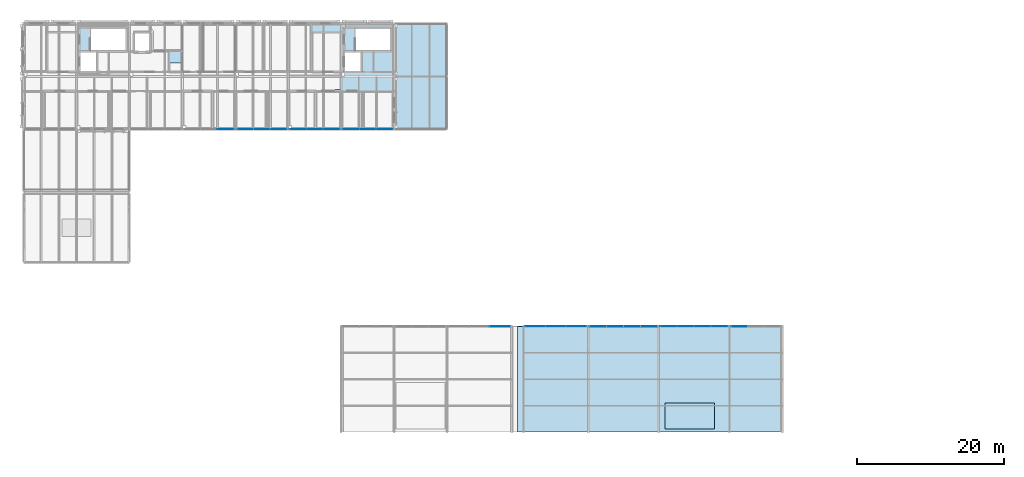
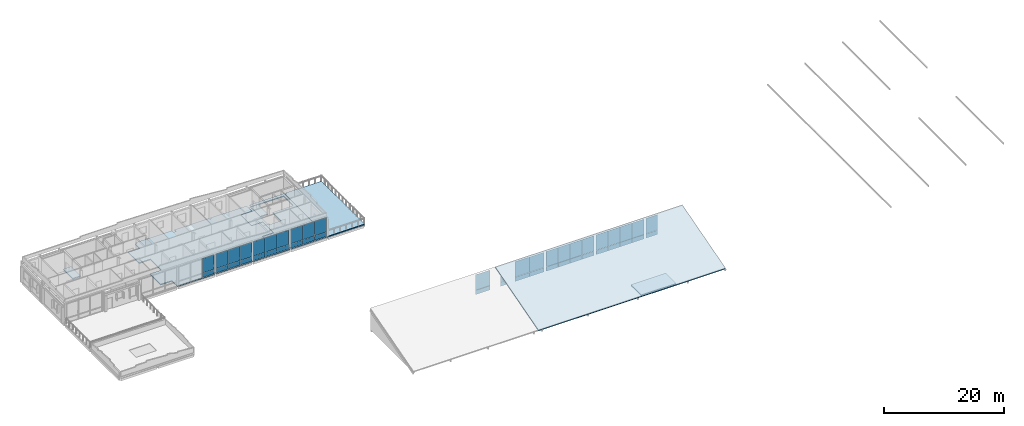
# One storey, part 22 of 32: 46 plates, 7 slabs, 9 elements without a shape of their own.
"""IFC4 building model written with IfcOpenShell, lengths in metres."""

import ifcopenshell
import ifcopenshell.guid

model = None  # the IFC model being written
_history = None  # IfcOwnerHistory: only IFC2X3 demands one
_inside = {}  # id of a spatial element -> (the spatial element, [elements in it])
_under = {}  # id of a project, library or spatial element -> (it, [spatial elements below it])
_declared = {}  # id of a project -> (the project, [libraries it declares])
_typed = {}  # id of a type object -> (the type object, [elements of that type])
_made_of = {}  # id of a material, layer set ... -> (it, [elements and type objects made of it])


def new_model(schema):
    """Start an empty IFC model of exactly this schema.

    Asked for "IFC4X3", IfcOpenShell would pick the latest addendum, in which some entities
    have other attributes; the version numbers below select the first issue.
    IFC2X3 requires an IfcOwnerHistory on every rooted entity: one is made here for all.
    """
    global model, _history
    if schema == "IFC4X3":
        model = ifcopenshell.file(schema_version=(4, 3, 0, 0))
    else:
        model = ifcopenshell.file(schema=schema)
    _inside.clear()
    _under.clear()
    _declared.clear()
    _typed.clear()
    _made_of.clear()
    _history = None
    if model.schema == "IFC2X3":
        org = make("IfcOrganization", Name="unknown")
        user = make(
            "IfcPersonAndOrganization",
            ThePerson=make("IfcPerson", FamilyName="unknown"),
            TheOrganization=org,
        )
        app = make(
            "IfcApplication",
            ApplicationDeveloper=org,
            Version="unknown",
            ApplicationFullName="unknown",
            ApplicationIdentifier="unknown",
        )
        _history = make(
            "IfcOwnerHistory",
            OwningUser=user,
            OwningApplication=app,
            ChangeAction="ADDED",
            CreationDate=0,
        )
    return model


def make(cls, **values):
    """One entity of the class cls with the attributes given. An attribute that is None is left unset."""
    return model.create_entity(
        cls, **{name: value for name, value in values.items() if value is not None}
    )


def rooted(cls, **values):
    """An entity with a GlobalId (a new one), such as an element, a storey or a relation."""
    return make(cls, GlobalId=ifcopenshell.guid.new(), OwnerHistory=_history, **values)


def si_unit(unit_type, name, prefix=None):
    """IfcSIUnit, for example si_unit("LENGTHUNIT", "METRE", prefix="MILLI")."""
    return make("IfcSIUnit", UnitType=unit_type, Prefix=prefix, Name=name)


def assignment(units):
    """IfcUnitAssignment: the units of a project."""
    return None if units is None else make("IfcUnitAssignment", Units=units)


def point(xyz):
    """IfcCartesianPoint."""
    return None if xyz is None else make("IfcCartesianPoint", Coordinates=xyz)


def direction(xyz):
    """IfcDirection."""
    return None if xyz is None else make("IfcDirection", DirectionRatios=xyz)


def frame(location, z_axis=None, x_axis=None):
    """IfcAxis2Placement3D, a coordinate frame: its origin and axes. An axis left out is left unset."""
    return make(
        "IfcAxis2Placement3D",
        Location=point(location),
        Axis=direction(z_axis),
        RefDirection=direction(x_axis),
    )


def frame_2d(location, x_axis=None):
    """IfcAxis2Placement2D, a coordinate frame in the plane: its origin and x axis."""
    return make(
        "IfcAxis2Placement2D", Location=point(location), RefDirection=direction(x_axis)
    )


def origin():
    """The frame at (0, 0, 0) with its axes left unset."""
    return frame((0.0, 0.0, 0.0))


def origin_2d():
    """The frame at (0, 0) in the plane with its x axis left unset."""
    return frame_2d((0.0, 0.0))


def place(relative_to, where):
    """IfcLocalPlacement: puts the frame where relative to a parent placement (None: the world)."""
    return make(
        "IfcLocalPlacement", PlacementRelTo=relative_to, RelativePlacement=where
    )


def context(
    kind, dimensions, precision=None, world=None, true_north=None, identifier=None
):
    """IfcGeometricRepresentationContext, for example the 3D "Model" context."""
    return make(
        "IfcGeometricRepresentationContext",
        ContextIdentifier=identifier,
        ContextType=kind,
        CoordinateSpaceDimension=dimensions,
        Precision=precision,
        WorldCoordinateSystem=world,
        TrueNorth=true_north,
    )


def subcontext(parent, identifier, kind, view, scale=None):
    """IfcGeometricRepresentationSubContext, for example "Body" below "Model"."""
    return make(
        "IfcGeometricRepresentationSubContext",
        ContextIdentifier=identifier,
        ContextType=kind,
        ParentContext=parent,
        TargetScale=scale,
        TargetView=view,
    )


def project(units=None, contexts=None):
    """IfcProject with its units and contexts."""
    return rooted(
        "IfcProject",
        Name="project",
        RepresentationContexts=contexts,
        UnitsInContext=assignment(units),
    )


def spatial(cls, under=None, at=None, **own):
    """A site, building, storey or space (cls), placed at a placement, below another one or the project."""
    s = rooted(cls, ObjectPlacement=at, **own)
    if under is not None:
        _under.setdefault(under.id(), (under, []))[1].append(s)
    return s


def polyline(points):
    """IfcPolyline through the points."""
    return make("IfcPolyline", Points=[point(p) for p in points])


def profile(cls, at=None, kind="AREA", **sizes):
    """A parametric profile (cls). Its sizes go by their IFC names, for example OverallWidth=200.0."""
    return make(cls, ProfileType=kind, Position=at, **sizes)


def rectangle(**sizes):
    """IfcRectangleProfileDef."""
    return profile("IfcRectangleProfileDef", **sizes)


def outline(outer, holes=None, kind="AREA"):
    """IfcArbitraryClosedProfileDef: a profile drawn as a closed curve; with holes, ...WithVoids."""
    if holes is None:
        return make("IfcArbitraryClosedProfileDef", ProfileType=kind, OuterCurve=outer)
    return make(
        "IfcArbitraryProfileDefWithVoids",
        ProfileType=kind,
        OuterCurve=outer,
        InnerCurves=holes,
    )


def extrude(swept, where, along, depth):
    """IfcExtrudedAreaSolid: the profile swept, set in the frame where, extruded along a direction by depth."""
    return make(
        "IfcExtrudedAreaSolid",
        SweptArea=swept,
        Position=where,
        ExtrudedDirection=direction(along),
        Depth=depth,
    )


def shape(context_of_items, identifier, shape_type, items):
    """IfcShapeRepresentation: the items that make up one representation, for example the "Body"."""
    return make(
        "IfcShapeRepresentation",
        ContextOfItems=context_of_items,
        RepresentationIdentifier=identifier,
        RepresentationType=shape_type,
        Items=items,
    )


def material(Name=None, Category=None):
    """IfcMaterial."""
    return make("IfcMaterial", Name=Name, Category=Category)


def layer(
    of_material, thickness, ventilated=None, Name=None, Category=None, Priority=None
):
    """IfcMaterialLayer: one layer of a wall or slab, of a material (None: an air gap)."""
    return make(
        "IfcMaterialLayer",
        Material=of_material,
        LayerThickness=thickness,
        IsVentilated=ventilated,
        Name=Name,
        Category=Category,
        Priority=Priority,
    )


def layer_set(layers, Name=None):
    """IfcMaterialLayerSet."""
    return make("IfcMaterialLayerSet", MaterialLayers=layers, LayerSetName=Name)


def made_of(thing, what):
    """Note that an element or type object is made of a material, layer set ...; save() writes the relation."""
    if what is not None:
        _made_of.setdefault(what.id(), (what, []))[1].append(thing)
    return thing


def type_object(cls, material=None, **own):
    """A type object (cls), such as IfcWallType, which elements share."""
    return made_of(rooted(cls, **own), material)


def element(
    cls,
    number,
    at=None,
    inside=None,
    cuts=None,
    type_object=None,
    material=None,
    context=None,
    identifier="Body",
    shape_type=None,
    held_by="IfcProductDefinitionShape",
    body=None,
    shapes=None,
    **own,
):
    """One element of the class cls, such as IfcWall. Its Tag is "e" and its number.

    at: its placement. inside: the storey or other place that contains it. cuts: it is an
    opening in that element (IfcRelVoidsElement). A single representation is given by context,
    identifier, shape_type and body (its items); several are given by shapes. held_by: the class
    of the entity that holds the representations. save() writes the other relations.
    """
    e = rooted(cls, Tag="e%d" % number, ObjectPlacement=at, **own)
    if body is not None:
        shapes = [shape(context, identifier, shape_type, body)]
    if shapes is not None:
        e.Representation = make(held_by, Representations=shapes)
    if inside is not None:
        _inside.setdefault(inside.id(), (inside, []))[1].append(e)
    if cuts is not None:
        rooted(
            "IfcRelVoidsElement", RelatingBuildingElement=cuts, RelatedOpeningElement=e
        )
    if type_object is not None:
        _typed.setdefault(type_object.id(), (type_object, []))[1].append(e)
    return made_of(e, material)


def aggregate(whole, parts):
    """IfcRelAggregates: a whole, such as a stair, and the parts it consists of."""
    return rooted("IfcRelAggregates", RelatingObject=whole, RelatedObjects=parts)


def save(model, path):
    """Write the relations noted so far, then the file.

    IfcRelAggregates (storeys below a building ...), IfcRelContainedInSpatialStructure (elements
    in a storey), IfcRelDefinesByType, IfcRelAssociatesMaterial and IfcRelDeclares: one each for
    every whole, place, type object, material and project.
    """
    for whole, parts in _under.values():
        aggregate(whole, parts)
    for where, things in _inside.values():
        rooted(
            "IfcRelContainedInSpatialStructure",
            RelatedElements=things,
            RelatingStructure=where,
        )
    for kind, things in _typed.values():
        rooted("IfcRelDefinesByType", RelatedObjects=things, RelatingType=kind)
    for what, things in _made_of.values():
        rooted("IfcRelAssociatesMaterial", RelatedObjects=things, RelatingMaterial=what)
    for by, libraries in _declared.values():
        rooted("IfcRelDeclares", RelatingContext=by, RelatedDefinitions=libraries)
    model.write(path)


model = new_model("IFC4")

# Units and contexts
model_context = context("Model", 3, precision=1e-05, world=origin(), true_north=direction((0.0, 1.0)))
body_context = subcontext(model_context, "Body", "Model", "MODEL_VIEW")
ifc_project = project(units=[si_unit("LENGTHUNIT", "METRE"), si_unit("AREAUNIT", "SQUARE_METRE"), si_unit("VOLUMEUNIT", "CUBIC_METRE"), si_unit("PLANEANGLEUNIT", "RADIAN"), si_unit("MASSUNIT", "GRAM", prefix="KILO")], contexts=[model_context])

# Site, building, storey
site_placement = place(None, origin())
site = spatial("IfcSite", under=ifc_project, at=site_placement, CompositionType="ELEMENT")
building_placement = place(site_placement, origin())
building = spatial("IfcBuilding", under=site, at=building_placement, Name="Hawrajan Terrace Health Centre", CompositionType="ELEMENT")
storey_placement = place(building_placement, frame((0.0, 0.0, 17.39990234375)))
storey = spatial("IfcBuildingStorey", under=building, at=storey_placement, Name="L04", CompositionType="ELEMENT", Elevation=17.39990234375)

# Curtain wall, plates
ifc_material_1 = material(Name="Anodized bronze aluminium and low-E solar glazing", Category="aluminium")
curtain_wall_type_1 = type_object("IfcCurtainWallType", Name="CW_CourtNS_SeriesC2", PredefinedType="USERDEFINED", material=ifc_material_1)
curtain_wall_1_placement = place(storey_placement, origin())
curtain_wall_1 = element("IfcCurtainWall", 1, at=curtain_wall_1_placement, inside=storey, type_object=curtain_wall_type_1, Name="Curtain wall CW-L04-176", ObjectType="UNITISED CURTAIN WALL", PredefinedType="USERDEFINED")
ifc_material_2 = material(Name="Diffused north-light insulated glazing", Category="glass")
ifc_layer_1 = layer(ifc_material_2, 0.031982421875)
ifc_layer_set_1 = layer_set([ifc_layer_1], Name="Diffused north-light insulated glazing")
plate_type_1 = type_object("IfcPlateType", Name="ClerestoryGlassPanel_32", PredefinedType="CURTAIN_PANEL", material=ifc_layer_set_1)
plate_1_placement = place(storey_placement, frame((34.735107421875, 45.39990234375, 0.981689453125), z_axis=(0.0, 0.0, 1.0), x_axis=(1.0, 0.0, 0.0)))
plate_1 = element("IfcPlate", 2, at=plate_1_placement, type_object=plate_type_1, Name="Curtain panel CW-L04-176-P1-2", PredefinedType="CURTAIN_PANEL", context=body_context, shape_type="SweptSolid", body=[
    extrude(rectangle(XDim=2.2119140625, YDim=0.031982421875, at=origin_2d()), origin(), (0.0, 0.0, 1.0), 2.8994140625),
])
plate_2_placement = place(storey_placement, frame((37.010009765625, 45.39990234375, 0.981689453125), z_axis=(0.0, 0.0, 1.0), x_axis=(1.0, 0.0, 0.0)))
plate_2 = element("IfcPlate", 3, at=plate_2_placement, type_object=plate_type_1, Name="Curtain panel CW-L04-176-P2-2", PredefinedType="CURTAIN_PANEL", context=body_context, shape_type="SweptSolid", body=[
    extrude(rectangle(XDim=2.2119140625, YDim=0.031982421875, at=origin_2d()), origin(), (0.0, 0.0, 1.0), 2.8994140625),
])
plate_3_placement = place(storey_placement, frame((39.284912109375, 45.39990234375, 0.981689453125), z_axis=(0.0, 0.0, 1.0), x_axis=(1.0, 0.0, 0.0)))
plate_3 = element("IfcPlate", 4, at=plate_3_placement, type_object=plate_type_1, Name="Curtain panel CW-L04-176-P3-2", PredefinedType="CURTAIN_PANEL", context=body_context, shape_type="SweptSolid", body=[
    extrude(rectangle(XDim=2.2119140625, YDim=0.031982421875, at=origin_2d()), origin(), (0.0, 0.0, 1.0), 2.8994140625),
])

curtain_wall_type_2 = type_object("IfcCurtainWallType", Name="CW_Clerestory_SeriesG2", PredefinedType="USERDEFINED", material=ifc_material_1)
curtain_wall_2_placement = place(storey_placement, origin())
curtain_wall_2 = element("IfcCurtainWall", 5, at=curtain_wall_2_placement, inside=storey, type_object=curtain_wall_type_2, Name="Curtain wall CW-L04-CLER-182", ObjectType="UNITISED CURTAIN WALL", PredefinedType="USERDEFINED")
plate_4_placement = place(storey_placement, frame((74.205078125, 18.60009765625, 0.781494140625), z_axis=(0.0, 0.0, 1.0), x_axis=(1.0, 0.0, 0.0)))
plate_4 = element("IfcPlate", 6, at=plate_4_placement, type_object=plate_type_1, Name="Curtain panel CW-L04-CLER-182-P1-2", PredefinedType="CURTAIN_PANEL", context=body_context, shape_type="SweptSolid", body=[
    extrude(rectangle(XDim=2.73193359375, YDim=0.031982421875, at=origin_2d()), origin(), (0.0, 0.0, 1.0), 3.07861328125),
])
plate_5_placement = place(storey_placement, frame((77.0, 18.60009765625, 0.781494140625), z_axis=(0.0, 0.0, 1.0), x_axis=(1.0, 0.0, 0.0)))
plate_5 = element("IfcPlate", 7, at=plate_5_placement, type_object=plate_type_1, Name="Curtain panel CW-L04-CLER-182-P2-2", PredefinedType="CURTAIN_PANEL", context=body_context, shape_type="SweptSolid", body=[
    extrude(rectangle(XDim=2.73193359375, YDim=0.031982421875, at=origin_2d()), origin(), (0.0, 0.0, 1.0), 3.07861328125),
])
plate_6_placement = place(storey_placement, frame((79.794921875, 18.60009765625, 0.781494140625), z_axis=(0.0, 0.0, 1.0), x_axis=(1.0, 0.0, 0.0)))
plate_6 = element("IfcPlate", 8, at=plate_6_placement, type_object=plate_type_1, Name="Curtain panel CW-L04-CLER-182-P3-2", PredefinedType="CURTAIN_PANEL", context=body_context, shape_type="SweptSolid", body=[
    extrude(rectangle(XDim=2.73193359375, YDim=0.031982421875, at=origin_2d()), origin(), (0.0, 0.0, 1.0), 3.07861328125),
])

# Curtain wall, plate
curtain_wall_type_3 = type_object("IfcCurtainWallType", Name="CW_Clerestory_SeriesG1", PredefinedType="USERDEFINED", material=ifc_material_1)
curtain_wall_3_placement = place(storey_placement, origin())
curtain_wall_3 = element("IfcCurtainWall", 9, at=curtain_wall_3_placement, inside=storey, type_object=curtain_wall_type_3, Name="Curtain wall CW-L04-CLER-185", ObjectType="UNITISED CURTAIN WALL", PredefinedType="USERDEFINED")
plate_7_placement = place(storey_placement, frame((101.938232421875, 18.60009765625, 0.781494140625), z_axis=(0.0, 0.0, 1.0), x_axis=(1.0, 0.0, 0.0)))
plate_7 = element("IfcPlate", 10, at=plate_7_placement, type_object=plate_type_1, Name="Curtain panel CW-L04-CLER-185-P1-2", PredefinedType="CURTAIN_PANEL", context=body_context, shape_type="SweptSolid", body=[
    extrude(rectangle(XDim=2.19873046875, YDim=0.031982421875, at=origin_2d()), origin(), (0.0, 0.0, 1.0), 3.07861328125),
])

# Slabs
ifc_material_3 = material(Name="Cross-laminated timber CLT C24", Category="wood")
ifc_layer_2 = layer(ifc_material_3, 0.18994140625)
ifc_layer_set_2 = layer_set([ifc_layer_2], Name="Cross-laminated timber CLT C24")
slab_type_1 = type_object("IfcSlabType", Name="FloorSlab_CLT190", PredefinedType="FLOOR", material=ifc_layer_set_2)
slab_1_placement = place(storey_placement, frame((0.0, 0.0, -0.18994140625)))
element("IfcSlab", 11, at=slab_1_placement, inside=storey, type_object=slab_type_1, Name="Structural slab SL-L04-W-V2-Z1-1", PredefinedType="FLOOR", context=body_context, shape_type="SweptSolid", body=[
    extrude(outline(polyline([(26.47998046875, 59.52001953125), (26.47998046875, 59.800048828125), (33.39990234375, 59.800048828125), (33.39990234375, 59.25), (33.949951171875, 59.25), (33.949951171875, 59.800048828125), (40.60009765625, 59.800048828125), (40.60009765625, 59.52001953125), (40.8798828125, 59.52001953125), (40.8798828125, 59.800048828125), (47.800048828125, 59.800048828125), (47.800048828125, 59.25), (47.800048828125, 58.0), (45.60009765625, 58.0), (45.60009765625, 54.39990234375), (47.800048828125, 54.39990234375), (47.800048828125, 52.60009765625), (47.800048828125, 50.800048828125), (45.60009765625, 50.800048828125), (45.60009765625, 47.199951171875), (47.800048828125, 47.199951171875), (47.800048828125, 45.679931640625), (47.800048828125, 45.39990234375), (40.60009765625, 45.39990234375), (33.679931640625, 45.39990234375), (33.679931640625, 45.679931640625), (33.39990234375, 45.679931640625), (33.39990234375, 45.39990234375), (26.201904296875, 45.39990234375), (26.201904296875, 47.201904296875), (24.001953125, 47.201904296875), (24.001953125, 50.798095703125), (26.201904296875, 50.798095703125), (26.201904296875, 54.402099609375), (24.001953125, 54.402099609375), (24.001953125, 57.998046875), (26.201904296875, 57.998046875), (26.201904296875, 59.52001953125), (26.47998046875, 59.52001953125)])), origin(), (0.0, 0.0, 1.0), 0.18994140625),
])
slab_2_placement = place(storey_placement, frame((0.0, 0.0, -0.18994140625)))
element("IfcSlab", 12, at=slab_2_placement, inside=storey, type_object=slab_type_1, Name="Structural slab SL-L04-W-V2-Z2-1", PredefinedType="FLOOR", context=body_context, shape_type="SweptSolid", body=[
    extrude(outline(polyline([(48.35009765625, 59.25), (48.35009765625, 59.800048828125), (55.0, 59.800048828125), (55.0, 59.52001953125), (55.0, 52.60009765625), (55.0, 45.39990234375), (48.080078125, 45.39990234375), (48.080078125, 45.679931640625), (47.802001953125, 45.679931640625), (47.802001953125, 47.201904296875), (45.60205078125, 47.201904296875), (45.60205078125, 50.798095703125), (47.802001953125, 50.798095703125), (47.802001953125, 54.402099609375), (45.60205078125, 54.402099609375), (45.60205078125, 57.998046875), (47.802001953125, 57.998046875), (47.802001953125, 59.25), (48.35009765625, 59.25)]), holes=[polyline([(50.60009765625, 56.0), (54.60009765625, 56.0), (54.60009765625, 59.199951171875), (48.199951171875, 59.199951171875), (48.199951171875, 56.0), (48.199951171875, 53.199951171875), (50.60009765625, 53.199951171875), (50.60009765625, 56.0)])]), origin(), (0.0, 0.0, 1.0), 0.18994140625),
])
ifc_layer_3 = layer(ifc_material_3, 0.199951171875)
ifc_layer_set_3 = layer_set([ifc_layer_3], Name="Cross-laminated timber CLT C24")
slab_type_2 = type_object("IfcSlabType", Name="RoofSlab_Shed200", PredefinedType="ROOF", material=ifc_layer_set_3)
slab_3_placement = place(storey_placement, frame((71.804931640625, 4.199951171875, 0.0), z_axis=(0.0, -0.275635803404, 0.961262141084), x_axis=(1.0, 0.0, 0.0)))
element("IfcSlab", 13, at=slab_3_placement, inside=storey, type_object=slab_type_2, Name="North-light clerestory shed roof C", PredefinedType="ROOF", context=body_context, shape_type="SweptSolid", body=[
    extrude(outline(polyline([(0.0, 0.0), (35.9951171875, 0.0), (35.9951171875, 14.980457326792674), (0.0, 14.980457326792674), (0.0, 0.0)])), origin(), (0.0, 0.0, -1.0), 0.199951171875),
])
ifc_layer_4 = layer(ifc_material_3, 0.25)
ifc_layer_set_4 = layer_set([ifc_layer_4], Name="Cross-laminated timber CLT C24")
slab_type_3 = type_object("IfcSlabType", Name="RoofSlab_Ziggurat250", PredefinedType="ROOF", material=ifc_layer_set_4)
slab_4_placement = place(storey_placement, frame((0.0, 0.0, -0.349853515625)))
element("IfcSlab", 14, at=slab_4_placement, inside=storey, type_object=slab_type_3, Name="Stair S5 shaft cap slab", PredefinedType="ROOF", context=body_context, shape_type="SweptSolid", body=[
    extrude(outline(polyline([(91.85009765625, 4.64990234375), (98.550048828125, 4.64990234375), (98.550048828125, 8.14990234375), (91.85009765625, 8.14990234375), (91.85009765625, 4.64990234375)])), origin(), (0.0, 0.0, 1.0), 0.25),
])

# Plate
ifc_material_4 = material(Name="Insulated anodized bronze spandrel panel")
ifc_layer_5 = layer(ifc_material_4, 0.048095703125)
ifc_layer_set_5 = layer_set([ifc_layer_5], Name="Insulated anodized bronze spandrel panel")
plate_type_2 = type_object("IfcPlateType", Name="SpandrelPanel_Bronze48", PredefinedType="CURTAIN_PANEL", material=ifc_layer_set_5)
plate_8_placement = place(storey_placement, frame((34.735107421875, 45.39990234375, 0.069091796875), z_axis=(0.0, 0.0, 1.0), x_axis=(1.0, 0.0, 0.0)))
plate_8 = element("IfcPlate", 15, at=plate_8_placement, type_object=plate_type_2, Name="Curtain panel CW-L04-176-P1-1", PredefinedType="CURTAIN_PANEL", context=body_context, shape_type="SweptSolid", body=[
    extrude(rectangle(XDim=2.2119140625, YDim=0.048095703125, at=origin_2d()), origin(), (0.0, 0.0, 1.0), 0.849609375),
])

plate_9_placement = place(storey_placement, frame((37.010009765625, 45.39990234375, 0.069091796875), z_axis=(0.0, 0.0, 1.0), x_axis=(1.0, 0.0, 0.0)))
plate_9 = element("IfcPlate", 16, at=plate_9_placement, type_object=plate_type_2, Name="Curtain panel CW-L04-176-P2-1", PredefinedType="CURTAIN_PANEL", context=body_context, shape_type="SweptSolid", body=[
    extrude(rectangle(XDim=2.2119140625, YDim=0.048095703125, at=origin_2d()), origin(), (0.0, 0.0, 1.0), 0.849609375),
])

plate_10_placement = place(storey_placement, frame((39.284912109375, 45.39990234375, 0.069091796875), z_axis=(0.0, 0.0, 1.0), x_axis=(1.0, 0.0, 0.0)))
plate_10 = element("IfcPlate", 17, at=plate_10_placement, type_object=plate_type_2, Name="Curtain panel CW-L04-176-P3-1", PredefinedType="CURTAIN_PANEL", context=body_context, shape_type="SweptSolid", body=[
    extrude(rectangle(XDim=2.2119140625, YDim=0.048095703125, at=origin_2d()), origin(), (0.0, 0.0, 1.0), 0.849609375),
])

aggregate(curtain_wall_1, [plate_8, plate_1, plate_9, plate_2, plate_10, plate_3])

# Curtain wall, plates
curtain_wall_type_4 = type_object("IfcCurtainWallType", Name="CW_Hall_SeriesD1", PredefinedType="USERDEFINED", material=ifc_material_1)
curtain_wall_4_placement = place(storey_placement, origin())
curtain_wall_4 = element("IfcCurtainWall", 18, at=curtain_wall_4_placement, inside=storey, type_object=curtain_wall_type_4, Name="Curtain wall CW-L04-178", ObjectType="UNITISED CURTAIN WALL", PredefinedType="USERDEFINED")
plate_11_placement = place(storey_placement, frame((49.131591796875, 45.39990234375, 0.05908203125), z_axis=(0.0, 0.0, 1.0), x_axis=(1.0, 0.0, 0.0)))
plate_11 = element("IfcPlate", 19, at=plate_11_placement, type_object=plate_type_2, Name="Curtain panel CW-L04-178-P1-1", PredefinedType="CURTAIN_PANEL", context=body_context, shape_type="SweptSolid", body=[
    extrude(rectangle(XDim=2.225341796875, YDim=0.048095703125, at=origin_2d()), origin(), (0.0, 0.0, 1.0), 0.864501953125),
])
plate_12_placement = place(storey_placement, frame((51.409912109375, 45.39990234375, 0.05908203125), z_axis=(0.0, 0.0, 1.0), x_axis=(1.0, 0.0, 0.0)))
plate_12 = element("IfcPlate", 20, at=plate_12_placement, type_object=plate_type_2, Name="Curtain panel CW-L04-178-P2-1", PredefinedType="CURTAIN_PANEL", context=body_context, shape_type="SweptSolid", body=[
    extrude(rectangle(XDim=2.225341796875, YDim=0.048095703125, at=origin_2d()), origin(), (0.0, 0.0, 1.0), 0.864501953125),
])
plate_13_placement = place(storey_placement, frame((53.688232421875, 45.39990234375, 0.05908203125), z_axis=(0.0, 0.0, 1.0), x_axis=(1.0, 0.0, 0.0)))
plate_13 = element("IfcPlate", 21, at=plate_13_placement, type_object=plate_type_2, Name="Curtain panel CW-L04-178-P3-1", PredefinedType="CURTAIN_PANEL", context=body_context, shape_type="SweptSolid", body=[
    extrude(rectangle(XDim=2.225341796875, YDim=0.048095703125, at=origin_2d()), origin(), (0.0, 0.0, 1.0), 0.864501953125),
])

# Plate
plate_14_placement = place(storey_placement, frame((74.205078125, 18.60009765625, -0.130859375), z_axis=(0.0, 0.0, 1.0), x_axis=(1.0, 0.0, 0.0)))
plate_14 = element("IfcPlate", 22, at=plate_14_placement, type_object=plate_type_2, Name="Curtain panel CW-L04-CLER-182-P1-1", PredefinedType="CURTAIN_PANEL", context=body_context, shape_type="SweptSolid", body=[
    extrude(rectangle(XDim=2.73193359375, YDim=0.048095703125, at=origin_2d()), origin(), (0.0, 0.0, 1.0), 0.849609375),
])

plate_15_placement = place(storey_placement, frame((77.0, 18.60009765625, -0.130859375), z_axis=(0.0, 0.0, 1.0), x_axis=(1.0, 0.0, 0.0)))
plate_15 = element("IfcPlate", 23, at=plate_15_placement, type_object=plate_type_2, Name="Curtain panel CW-L04-CLER-182-P2-1", PredefinedType="CURTAIN_PANEL", context=body_context, shape_type="SweptSolid", body=[
    extrude(rectangle(XDim=2.73193359375, YDim=0.048095703125, at=origin_2d()), origin(), (0.0, 0.0, 1.0), 0.849609375),
])

plate_16_placement = place(storey_placement, frame((79.794921875, 18.60009765625, -0.130859375), z_axis=(0.0, 0.0, 1.0), x_axis=(1.0, 0.0, 0.0)))
plate_16 = element("IfcPlate", 24, at=plate_16_placement, type_object=plate_type_2, Name="Curtain panel CW-L04-CLER-182-P3-1", PredefinedType="CURTAIN_PANEL", context=body_context, shape_type="SweptSolid", body=[
    extrude(rectangle(XDim=2.73193359375, YDim=0.048095703125, at=origin_2d()), origin(), (0.0, 0.0, 1.0), 0.849609375),
])

aggregate(curtain_wall_2, [plate_14, plate_4, plate_15, plate_5, plate_16, plate_6])

# Curtain wall, plates
curtain_wall_5_placement = place(storey_placement, origin())
curtain_wall_5 = element("IfcCurtainWall", 25, at=curtain_wall_5_placement, inside=storey, type_object=curtain_wall_type_2, Name="Curtain wall CW-L04-CLER-184", ObjectType="UNITISED CURTAIN WALL", PredefinedType="USERDEFINED")
plate_17_placement = place(storey_placement, frame((92.351806640625, 18.60009765625, -0.14111328125), z_axis=(0.0, 0.0, 1.0), x_axis=(1.0, 0.0, 0.0)))
plate_17 = element("IfcPlate", 26, at=plate_17_placement, type_object=plate_type_2, Name="Curtain panel CW-L04-CLER-184-P1-1", PredefinedType="CURTAIN_PANEL", context=body_context, shape_type="SweptSolid", body=[
    extrude(rectangle(XDim=2.245849609375, YDim=0.048095703125, at=origin_2d()), origin(), (0.0, 0.0, 1.0), 0.864501953125),
])
plate_18_placement = place(storey_placement, frame((94.650634765625, 18.60009765625, -0.14111328125), z_axis=(0.0, 0.0, 1.0), x_axis=(1.0, 0.0, 0.0)))
plate_18 = element("IfcPlate", 27, at=plate_18_placement, type_object=plate_type_2, Name="Curtain panel CW-L04-CLER-184-P2-1", PredefinedType="CURTAIN_PANEL", context=body_context, shape_type="SweptSolid", body=[
    extrude(rectangle(XDim=2.245849609375, YDim=0.048095703125, at=origin_2d()), origin(), (0.0, 0.0, 1.0), 0.864501953125),
])
plate_19_placement = place(storey_placement, frame((96.949462890625, 18.60009765625, -0.14111328125), z_axis=(0.0, 0.0, 1.0), x_axis=(1.0, 0.0, 0.0)))
plate_19 = element("IfcPlate", 28, at=plate_19_placement, type_object=plate_type_2, Name="Curtain panel CW-L04-CLER-184-P3-1", PredefinedType="CURTAIN_PANEL", context=body_context, shape_type="SweptSolid", body=[
    extrude(rectangle(XDim=2.245849609375, YDim=0.048095703125, at=origin_2d()), origin(), (0.0, 0.0, 1.0), 0.864501953125),
])
plate_20_placement = place(storey_placement, frame((99.248046875, 18.60009765625, -0.14111328125), z_axis=(0.0, 0.0, 1.0), x_axis=(1.0, 0.0, 0.0)))
plate_20 = element("IfcPlate", 29, at=plate_20_placement, type_object=plate_type_2, Name="Curtain panel CW-L04-CLER-184-P4-1", PredefinedType="CURTAIN_PANEL", context=body_context, shape_type="SweptSolid", body=[
    extrude(rectangle(XDim=2.245849609375, YDim=0.048095703125, at=origin_2d()), origin(), (0.0, 0.0, 1.0), 0.864501953125),
])

# Curtain wall, plate
curtain_wall_type_5 = type_object("IfcCurtainWallType", Name="CW_CourtNS_SeriesC1", PredefinedType="USERDEFINED", material=ifc_material_1)
curtain_wall_6_placement = place(storey_placement, origin())
curtain_wall_6 = element("IfcCurtainWall", 30, at=curtain_wall_6_placement, inside=storey, type_object=curtain_wall_type_5, Name="Curtain wall CW-L04-175", ObjectType="UNITISED CURTAIN WALL", PredefinedType="USERDEFINED")
ifc_material_5 = material(Name="Insulated reconstituted coral-stone spandrel", Category="masonry")
ifc_layer_6 = layer(ifc_material_5, 0.055908203125)
ifc_layer_set_6 = layer_set([ifc_layer_6], Name="Insulated reconstituted coral-stone spandrel")
plate_type_3 = type_object("IfcPlateType", Name="SpandrelPanel_Coral56", PredefinedType="CURTAIN_PANEL", material=ifc_layer_set_6)
plate_21_placement = place(storey_placement, frame((32.068359375, 45.39990234375, 0.05908203125), z_axis=(0.0, 0.0, 1.0), x_axis=(1.0, 0.0, 0.0)))
plate_21 = element("IfcPlate", 31, at=plate_21_placement, type_object=plate_type_3, Name="Curtain panel CW-L04-175-P3-1", PredefinedType="CURTAIN_PANEL", context=body_context, shape_type="SweptSolid", body=[
    extrude(rectangle(XDim=2.225341796875, YDim=0.055908203125, at=origin_2d()), origin(), (0.0, 0.0, 1.0), 0.864501953125),
])

# Curtain wall, plates
curtain_wall_type_6 = type_object("IfcCurtainWallType", Name="CW_CourtNS_SeriesC3", PredefinedType="USERDEFINED", material=ifc_material_1)
curtain_wall_7_placement = place(storey_placement, origin())
curtain_wall_7 = element("IfcCurtainWall", 32, at=curtain_wall_7_placement, inside=storey, type_object=curtain_wall_type_6, Name="Curtain wall CW-L04-177", ObjectType="UNITISED CURTAIN WALL", PredefinedType="USERDEFINED")
plate_22_placement = place(storey_placement, frame((41.91162109375, 45.39990234375, 0.05908203125), z_axis=(0.0, 0.0, 1.0), x_axis=(1.0, 0.0, 0.0)))
plate_22 = element("IfcPlate", 33, at=plate_22_placement, type_object=plate_type_3, Name="Curtain panel CW-L04-177-P1-1", PredefinedType="CURTAIN_PANEL", context=body_context, shape_type="SweptSolid", body=[
    extrude(rectangle(XDim=2.225341796875, YDim=0.055908203125, at=origin_2d()), origin(), (0.0, 0.0, 1.0), 0.864501953125),
])
plate_23_placement = place(storey_placement, frame((44.18994140625, 45.39990234375, 0.05908203125), z_axis=(0.0, 0.0, 1.0), x_axis=(1.0, 0.0, 0.0)))
plate_23 = element("IfcPlate", 34, at=plate_23_placement, type_object=plate_type_3, Name="Curtain panel CW-L04-177-P2-1", PredefinedType="CURTAIN_PANEL", context=body_context, shape_type="SweptSolid", body=[
    extrude(rectangle(XDim=2.225341796875, YDim=0.055908203125, at=origin_2d()), origin(), (0.0, 0.0, 1.0), 0.864501953125),
])
plate_24_placement = place(storey_placement, frame((46.46826171875, 45.39990234375, 0.05908203125), z_axis=(0.0, 0.0, 1.0), x_axis=(1.0, 0.0, 0.0)))
plate_24 = element("IfcPlate", 35, at=plate_24_placement, type_object=plate_type_3, Name="Curtain panel CW-L04-177-P3-1", PredefinedType="CURTAIN_PANEL", context=body_context, shape_type="SweptSolid", body=[
    extrude(rectangle(XDim=2.225341796875, YDim=0.055908203125, at=origin_2d()), origin(), (0.0, 0.0, 1.0), 0.864501953125),
])

# Curtain wall, plate
curtain_wall_8_placement = place(storey_placement, origin())
curtain_wall_8 = element("IfcCurtainWall", 36, at=curtain_wall_8_placement, inside=storey, type_object=curtain_wall_type_2, Name="Curtain wall CW-L04-CLER-181", ObjectType="UNITISED CURTAIN WALL", PredefinedType="USERDEFINED")
plate_25_placement = place(storey_placement, frame((69.398193359375, 18.60009765625, -0.14111328125), z_axis=(0.0, 0.0, 1.0), x_axis=(1.0, 0.0, 0.0)))
plate_25 = element("IfcPlate", 37, at=plate_25_placement, type_object=plate_type_3, Name="Curtain panel CW-L04-CLER-181-P3-1", PredefinedType="CURTAIN_PANEL", context=body_context, shape_type="SweptSolid", body=[
    extrude(rectangle(XDim=2.745361328125, YDim=0.055908203125, at=origin_2d()), origin(), (0.0, 0.0, 1.0), 0.864501953125),
])

# Curtain wall, plates
curtain_wall_9_placement = place(storey_placement, origin())
curtain_wall_9 = element("IfcCurtainWall", 38, at=curtain_wall_9_placement, inside=storey, type_object=curtain_wall_type_2, Name="Curtain wall CW-L04-CLER-183", ObjectType="UNITISED CURTAIN WALL", PredefinedType="USERDEFINED")
plate_26_placement = place(storey_placement, frame((82.751953125, 18.60009765625, -0.14111328125), z_axis=(0.0, 0.0, 1.0), x_axis=(1.0, 0.0, 0.0)))
plate_26 = element("IfcPlate", 39, at=plate_26_placement, type_object=plate_type_3, Name="Curtain panel CW-L04-CLER-183-P1-1", PredefinedType="CURTAIN_PANEL", context=body_context, shape_type="SweptSolid", body=[
    extrude(rectangle(XDim=2.245849609375, YDim=0.055908203125, at=origin_2d()), origin(), (0.0, 0.0, 1.0), 0.864501953125),
])
plate_27_placement = place(storey_placement, frame((85.050537109375, 18.60009765625, -0.14111328125), z_axis=(0.0, 0.0, 1.0), x_axis=(1.0, 0.0, 0.0)))
plate_27 = element("IfcPlate", 40, at=plate_27_placement, type_object=plate_type_3, Name="Curtain panel CW-L04-CLER-183-P2-1", PredefinedType="CURTAIN_PANEL", context=body_context, shape_type="SweptSolid", body=[
    extrude(rectangle(XDim=2.245849609375, YDim=0.055908203125, at=origin_2d()), origin(), (0.0, 0.0, 1.0), 0.864501953125),
])
plate_28_placement = place(storey_placement, frame((87.349365234375, 18.60009765625, -0.14111328125), z_axis=(0.0, 0.0, 1.0), x_axis=(1.0, 0.0, 0.0)))
plate_28 = element("IfcPlate", 41, at=plate_28_placement, type_object=plate_type_3, Name="Curtain panel CW-L04-CLER-183-P3-1", PredefinedType="CURTAIN_PANEL", context=body_context, shape_type="SweptSolid", body=[
    extrude(rectangle(XDim=2.245849609375, YDim=0.055908203125, at=origin_2d()), origin(), (0.0, 0.0, 1.0), 0.864501953125),
])
plate_29_placement = place(storey_placement, frame((89.648193359375, 18.60009765625, -0.14111328125), z_axis=(0.0, 0.0, 1.0), x_axis=(1.0, 0.0, 0.0)))
plate_29 = element("IfcPlate", 42, at=plate_29_placement, type_object=plate_type_3, Name="Curtain panel CW-L04-CLER-183-P4-1", PredefinedType="CURTAIN_PANEL", context=body_context, shape_type="SweptSolid", body=[
    extrude(rectangle(XDim=2.245849609375, YDim=0.055908203125, at=origin_2d()), origin(), (0.0, 0.0, 1.0), 0.864501953125),
])

# Plate
plate_30_placement = place(storey_placement, frame((101.938232421875, 18.60009765625, -0.130859375), z_axis=(0.0, 0.0, 1.0), x_axis=(1.0, 0.0, 0.0)))
plate_30 = element("IfcPlate", 43, at=plate_30_placement, type_object=plate_type_3, Name="Curtain panel CW-L04-CLER-185-P1-1", PredefinedType="CURTAIN_PANEL", context=body_context, shape_type="SweptSolid", body=[
    extrude(rectangle(XDim=2.19873046875, YDim=0.055908203125, at=origin_2d()), origin(), (0.0, 0.0, 1.0), 0.849609375),
])

aggregate(curtain_wall_3, [plate_30, plate_7])

# Slabs
ifc_material_6 = material(Name="Concrete C40/50", Category="concrete")
ifc_layer_7 = layer(ifc_material_6, 0.219970703125)
ifc_layer_set_7 = layer_set([ifc_layer_7], Name="Concrete C40/50")
slab_type_4 = type_object("IfcSlabType", Name="StairLanding_RC220", PredefinedType="LANDING", material=ifc_layer_set_7)
slab_5_placement = place(storey_placement, frame((0.0, 0.0, -0.219970703125)))
element("IfcSlab", 44, at=slab_5_placement, inside=storey, type_object=slab_type_4, Name="Stair top arrival landing ST-1", PredefinedType="LANDING", context=body_context, shape_type="SweptSolid", body=[
    extrude(outline(polyline([(12.199951171875, 56.0), (13.699951171875, 56.0), (13.699951171875, 59.199951171875), (12.199951171875, 59.199951171875), (12.199951171875, 56.0)])), origin(), (0.0, 0.0, 1.0), 0.219970703125),
])
slab_6_placement = place(storey_placement, frame((0.0, 0.0, -0.219970703125)))
element("IfcSlab", 45, at=slab_6_placement, inside=storey, type_object=slab_type_4, Name="Stair top arrival landing ST-2", PredefinedType="LANDING", context=body_context, shape_type="SweptSolid", body=[
    extrude(outline(polyline([(48.199951171875, 56.0), (49.699951171875, 56.0), (49.699951171875, 59.199951171875), (48.199951171875, 59.199951171875), (48.199951171875, 56.0)])), origin(), (0.0, 0.0, 1.0), 0.219970703125),
])
ifc_layer_8 = layer(ifc_material_3, 0.219970703125)
ifc_layer_set_8 = layer_set([ifc_layer_8], Name="Cross-laminated timber CLT C24")
slab_type_5 = type_object("IfcSlabType", Name="TerraceDeck_CLT220", PredefinedType="FLOOR", material=ifc_layer_set_8)
slab_7_placement = place(storey_placement, frame((0.0, 0.0, -0.219970703125)))
element("IfcSlab", 46, at=slab_7_placement, inside=storey, type_object=slab_type_5, Name="External terrace deck TR-L04-TERR-L04-V2E-W-1", PredefinedType="FLOOR", context=body_context, shape_type="SweptSolid", body=[
    extrude(outline(polyline([(55.0, 45.39990234375), (55.0, 52.60009765625), (55.0, 59.52001953125), (55.280029296875, 59.52001953125), (55.280029296875, 59.800048828125), (62.199951171875, 59.800048828125), (62.199951171875, 52.60009765625), (62.199951171875, 45.679931640625), (62.199951171875, 45.39990234375), (55.0, 45.39990234375)])), origin(), (0.0, 0.0, 1.0), 0.219970703125),
])

# Plate
ifc_material_7 = material(Name="Double-glazed solar control low-E glass", Category="glass")
ifc_layer_9 = layer(ifc_material_7, 0.028076171875)
ifc_layer_set_9 = layer_set([ifc_layer_9], Name="Double-glazed solar control low-E glass")
plate_type_4 = type_object("IfcPlateType", Name="VisionGlassPanel_28", PredefinedType="CURTAIN_PANEL", material=ifc_layer_set_9)
plate_31_placement = place(storey_placement, frame((41.91162109375, 45.39990234375, 0.9765625), z_axis=(0.0, 0.0, 1.0), x_axis=(1.0, 0.0, 0.0)))
plate_31 = element("IfcPlate", 47, at=plate_31_placement, type_object=plate_type_4, Name="Curtain panel CW-L04-177-P1-2", PredefinedType="CURTAIN_PANEL", context=body_context, shape_type="SweptSolid", body=[
    extrude(rectangle(XDim=2.225341796875, YDim=0.028076171875, at=origin_2d()), origin(), (0.0, 0.0, 1.0), 2.91455078125),
])

plate_32_placement = place(storey_placement, frame((44.18994140625, 45.39990234375, 0.9765625), z_axis=(0.0, 0.0, 1.0), x_axis=(1.0, 0.0, 0.0)))
plate_32 = element("IfcPlate", 48, at=plate_32_placement, type_object=plate_type_4, Name="Curtain panel CW-L04-177-P2-2", PredefinedType="CURTAIN_PANEL", context=body_context, shape_type="SweptSolid", body=[
    extrude(rectangle(XDim=2.225341796875, YDim=0.028076171875, at=origin_2d()), origin(), (0.0, 0.0, 1.0), 2.91455078125),
])

plate_33_placement = place(storey_placement, frame((46.46826171875, 45.39990234375, 0.9765625), z_axis=(0.0, 0.0, 1.0), x_axis=(1.0, 0.0, 0.0)))
plate_33 = element("IfcPlate", 49, at=plate_33_placement, type_object=plate_type_4, Name="Curtain panel CW-L04-177-P3-2", PredefinedType="CURTAIN_PANEL", context=body_context, shape_type="SweptSolid", body=[
    extrude(rectangle(XDim=2.225341796875, YDim=0.028076171875, at=origin_2d()), origin(), (0.0, 0.0, 1.0), 2.91455078125),
])

aggregate(curtain_wall_7, [plate_22, plate_31, plate_23, plate_32, plate_24, plate_33])

plate_34_placement = place(storey_placement, frame((82.751953125, 18.60009765625, 0.77685546875), z_axis=(0.0, 0.0, 1.0), x_axis=(1.0, 0.0, 0.0)))
plate_34 = element("IfcPlate", 50, at=plate_34_placement, type_object=plate_type_4, Name="Curtain panel CW-L04-CLER-183-P1-2", PredefinedType="CURTAIN_PANEL", context=body_context, shape_type="SweptSolid", body=[
    extrude(rectangle(XDim=2.245849609375, YDim=0.028076171875, at=origin_2d()), origin(), (0.0, 0.0, 1.0), 3.093505859375),
])

plate_35_placement = place(storey_placement, frame((85.050537109375, 18.60009765625, 0.77685546875), z_axis=(0.0, 0.0, 1.0), x_axis=(1.0, 0.0, 0.0)))
plate_35 = element("IfcPlate", 51, at=plate_35_placement, type_object=plate_type_4, Name="Curtain panel CW-L04-CLER-183-P2-2", PredefinedType="CURTAIN_PANEL", context=body_context, shape_type="SweptSolid", body=[
    extrude(rectangle(XDim=2.245849609375, YDim=0.028076171875, at=origin_2d()), origin(), (0.0, 0.0, 1.0), 3.093505859375),
])

plate_36_placement = place(storey_placement, frame((87.349365234375, 18.60009765625, 0.77685546875), z_axis=(0.0, 0.0, 1.0), x_axis=(1.0, 0.0, 0.0)))
plate_36 = element("IfcPlate", 52, at=plate_36_placement, type_object=plate_type_4, Name="Curtain panel CW-L04-CLER-183-P3-2", PredefinedType="CURTAIN_PANEL", context=body_context, shape_type="SweptSolid", body=[
    extrude(rectangle(XDim=2.245849609375, YDim=0.028076171875, at=origin_2d()), origin(), (0.0, 0.0, 1.0), 3.093505859375),
])

plate_37_placement = place(storey_placement, frame((89.648193359375, 18.60009765625, 0.77685546875), z_axis=(0.0, 0.0, 1.0), x_axis=(1.0, 0.0, 0.0)))
plate_37 = element("IfcPlate", 53, at=plate_37_placement, type_object=plate_type_4, Name="Curtain panel CW-L04-CLER-183-P4-2", PredefinedType="CURTAIN_PANEL", context=body_context, shape_type="SweptSolid", body=[
    extrude(rectangle(XDim=2.245849609375, YDim=0.028076171875, at=origin_2d()), origin(), (0.0, 0.0, 1.0), 3.093505859375),
])

aggregate(curtain_wall_9, [plate_26, plate_34, plate_27, plate_35, plate_28, plate_36, plate_29, plate_37])

ifc_material_8 = material(Name="Triple-glazed solar acoustic low-E glass", Category="glass")
ifc_layer_10 = layer(ifc_material_8, 0.035888671875)
ifc_layer_set_10 = layer_set([ifc_layer_10], Name="Triple-glazed solar acoustic low-E glass")
plate_type_5 = type_object("IfcPlateType", Name="VisionGlassPanel_36", PredefinedType="CURTAIN_PANEL", material=ifc_layer_set_10)
plate_38_placement = place(storey_placement, frame((32.068359375, 45.39990234375, 0.9765625), z_axis=(0.0, 0.0, 1.0), x_axis=(1.0, 0.0, 0.0)))
plate_38 = element("IfcPlate", 54, at=plate_38_placement, type_object=plate_type_5, Name="Curtain panel CW-L04-175-P3-2", PredefinedType="CURTAIN_PANEL", context=body_context, shape_type="SweptSolid", body=[
    extrude(rectangle(XDim=2.225341796875, YDim=0.035888671875, at=origin_2d()), origin(), (0.0, 0.0, 1.0), 2.91455078125),
])

aggregate(curtain_wall_6, [plate_21, plate_38])

plate_39_placement = place(storey_placement, frame((49.131591796875, 45.39990234375, 0.9765625), z_axis=(0.0, 0.0, 1.0), x_axis=(1.0, 0.0, 0.0)))
plate_39 = element("IfcPlate", 55, at=plate_39_placement, type_object=plate_type_5, Name="Curtain panel CW-L04-178-P1-2", PredefinedType="CURTAIN_PANEL", context=body_context, shape_type="SweptSolid", body=[
    extrude(rectangle(XDim=2.225341796875, YDim=0.035888671875, at=origin_2d()), origin(), (0.0, 0.0, 1.0), 2.91455078125),
])

plate_40_placement = place(storey_placement, frame((51.409912109375, 45.39990234375, 0.9765625), z_axis=(0.0, 0.0, 1.0), x_axis=(1.0, 0.0, 0.0)))
plate_40 = element("IfcPlate", 56, at=plate_40_placement, type_object=plate_type_5, Name="Curtain panel CW-L04-178-P2-2", PredefinedType="CURTAIN_PANEL", context=body_context, shape_type="SweptSolid", body=[
    extrude(rectangle(XDim=2.225341796875, YDim=0.035888671875, at=origin_2d()), origin(), (0.0, 0.0, 1.0), 2.91455078125),
])

plate_41_placement = place(storey_placement, frame((53.688232421875, 45.39990234375, 0.9765625), z_axis=(0.0, 0.0, 1.0), x_axis=(1.0, 0.0, 0.0)))
plate_41 = element("IfcPlate", 57, at=plate_41_placement, type_object=plate_type_5, Name="Curtain panel CW-L04-178-P3-2", PredefinedType="CURTAIN_PANEL", context=body_context, shape_type="SweptSolid", body=[
    extrude(rectangle(XDim=2.225341796875, YDim=0.035888671875, at=origin_2d()), origin(), (0.0, 0.0, 1.0), 2.91455078125),
])

aggregate(curtain_wall_4, [plate_11, plate_39, plate_12, plate_40, plate_13, plate_41])

plate_42_placement = place(storey_placement, frame((69.398193359375, 18.60009765625, 0.77685546875), z_axis=(0.0, 0.0, 1.0), x_axis=(1.0, 0.0, 0.0)))
plate_42 = element("IfcPlate", 58, at=plate_42_placement, type_object=plate_type_5, Name="Curtain panel CW-L04-CLER-181-P3-2", PredefinedType="CURTAIN_PANEL", context=body_context, shape_type="SweptSolid", body=[
    extrude(rectangle(XDim=2.745361328125, YDim=0.035888671875, at=origin_2d()), origin(), (0.0, 0.0, 1.0), 3.093505859375),
])

aggregate(curtain_wall_8, [plate_25, plate_42])

plate_43_placement = place(storey_placement, frame((92.351806640625, 18.60009765625, 0.77685546875), z_axis=(0.0, 0.0, 1.0), x_axis=(1.0, 0.0, 0.0)))
plate_43 = element("IfcPlate", 59, at=plate_43_placement, type_object=plate_type_5, Name="Curtain panel CW-L04-CLER-184-P1-2", PredefinedType="CURTAIN_PANEL", context=body_context, shape_type="SweptSolid", body=[
    extrude(rectangle(XDim=2.245849609375, YDim=0.035888671875, at=origin_2d()), origin(), (0.0, 0.0, 1.0), 3.093505859375),
])

plate_44_placement = place(storey_placement, frame((94.650634765625, 18.60009765625, 0.77685546875), z_axis=(0.0, 0.0, 1.0), x_axis=(1.0, 0.0, 0.0)))
plate_44 = element("IfcPlate", 60, at=plate_44_placement, type_object=plate_type_5, Name="Curtain panel CW-L04-CLER-184-P2-2", PredefinedType="CURTAIN_PANEL", context=body_context, shape_type="SweptSolid", body=[
    extrude(rectangle(XDim=2.245849609375, YDim=0.035888671875, at=origin_2d()), origin(), (0.0, 0.0, 1.0), 3.093505859375),
])

plate_45_placement = place(storey_placement, frame((96.949462890625, 18.60009765625, 0.77685546875), z_axis=(0.0, 0.0, 1.0), x_axis=(1.0, 0.0, 0.0)))
plate_45 = element("IfcPlate", 61, at=plate_45_placement, type_object=plate_type_5, Name="Curtain panel CW-L04-CLER-184-P3-2", PredefinedType="CURTAIN_PANEL", context=body_context, shape_type="SweptSolid", body=[
    extrude(rectangle(XDim=2.245849609375, YDim=0.035888671875, at=origin_2d()), origin(), (0.0, 0.0, 1.0), 3.093505859375),
])

plate_46_placement = place(storey_placement, frame((99.248046875, 18.60009765625, 0.77685546875), z_axis=(0.0, 0.0, 1.0), x_axis=(1.0, 0.0, 0.0)))
plate_46 = element("IfcPlate", 62, at=plate_46_placement, type_object=plate_type_5, Name="Curtain panel CW-L04-CLER-184-P4-2", PredefinedType="CURTAIN_PANEL", context=body_context, shape_type="SweptSolid", body=[
    extrude(rectangle(XDim=2.245849609375, YDim=0.035888671875, at=origin_2d()), origin(), (0.0, 0.0, 1.0), 3.093505859375),
])

aggregate(curtain_wall_5, [plate_17, plate_43, plate_18, plate_44, plate_19, plate_45, plate_20, plate_46])

save(model, "model.ifc")
